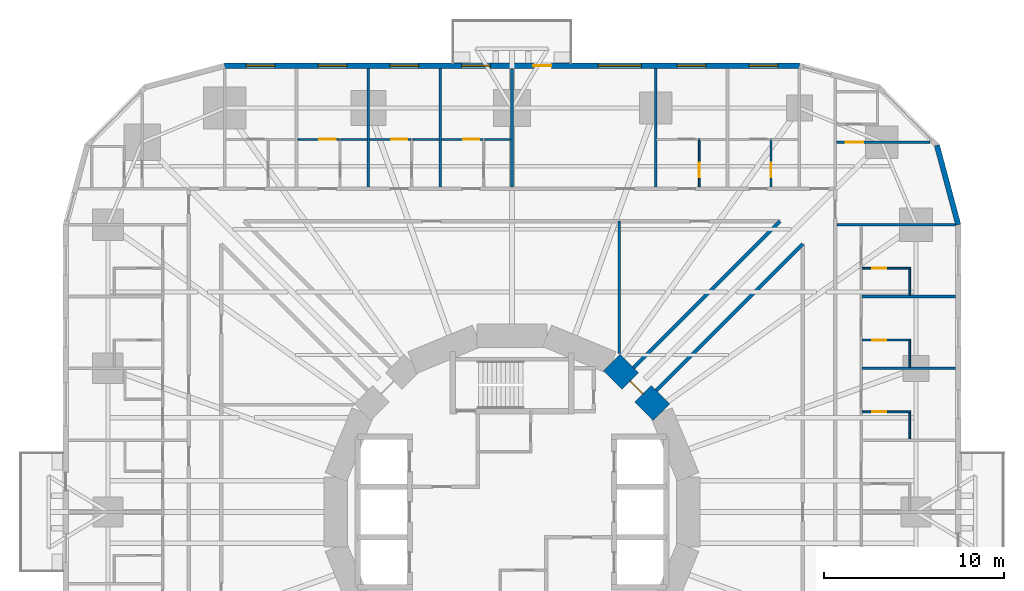
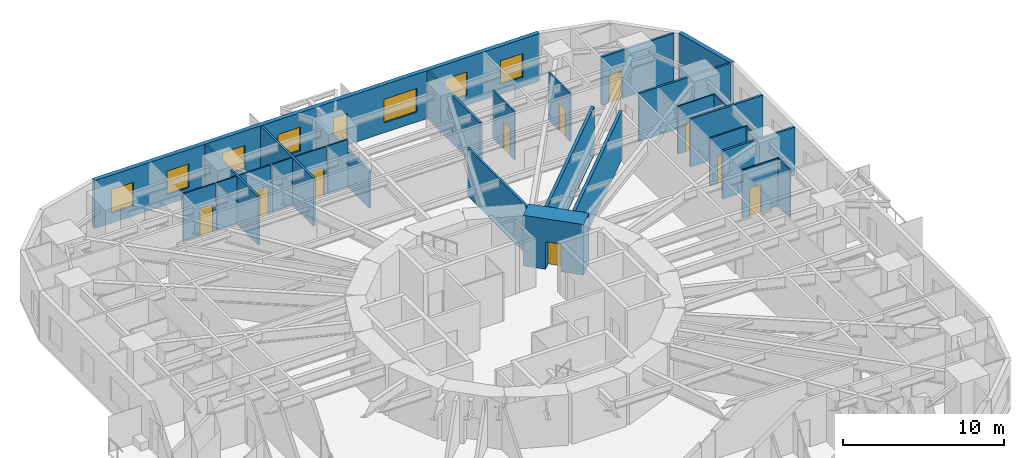
# One storey, part 11 of 14: 28 walls, 11 doors, 7 windows, 18 openings.
"""IFC4 building model written with IfcOpenShell, lengths in metres."""

from ifc_helpers import new_model, si_unit, direction, frame, frame_2d, origin, place, context, subcontext, project, spatial, rectangle, extrude, material, layer, layer_set, type_object, element, fill, save


model = new_model("IFC4")

# Units and contexts
model_context = context("Model", 3, precision=1e-05, world=origin(), true_north=direction((0.0, 1.0)))
body_context = subcontext(model_context, "Body", "Model", "MODEL_VIEW")
ifc_project = project(units=[si_unit("LENGTHUNIT", "METRE"), si_unit("AREAUNIT", "SQUARE_METRE"), si_unit("VOLUMEUNIT", "CUBIC_METRE"), si_unit("PLANEANGLEUNIT", "RADIAN"), si_unit("MASSUNIT", "GRAM", prefix="KILO")], contexts=[model_context])

# Site, building, storey
site_placement = place(None, origin())
site = spatial("IfcSite", under=ifc_project, at=site_placement, CompositionType="ELEMENT")
building_placement = place(site_placement, origin())
building = spatial("IfcBuilding", under=site, at=building_placement, Name="Nakasero Lantern House", CompositionType="ELEMENT")
storey_placement = place(building_placement, frame((0.0, 0.0, 27.550048828125)))
storey = spatial("IfcBuildingStorey", under=building, at=storey_placement, Name="L06", CompositionType="ELEMENT", Elevation=27.550048828125)

# Wall, opening, door
ifc_material_1 = material(Name="Concrete C50/60", Category="concrete")
ifc_layer_1 = layer(ifc_material_1, 1.300048828125)
ifc_layer_set_1 = layer_set([ifc_layer_1], Name="Core wall 1300")
wall_type_1 = type_object("IfcWallType", Name="Core wall 1300", PredefinedType="SHEAR", material=ifc_layer_set_1)
wall_1_placement = place(storey_placement, frame((8.314697265625, 5.5556640625, 0.0), z_axis=(0.0, 0.0, 1.0), x_axis=(-0.707106781187, 0.707106781187, 0.0)))
wall_1 = element("IfcWall", 1, at=wall_1_placement, inside=storey, type_object=wall_type_1, Name="Core wall L06 facet 2", PredefinedType="SHEAR", context=body_context, shape_type="SweptSolid", body=[
    extrude(rectangle(XDim=3.90185546875, YDim=1.300048828125, at=frame_2d((1.950927734375, 0.0))), origin(), (0.0, 0.0, 1.0), 3.849853515625),
])
opening_1_placement = place(wall_1_placement, frame((1.450927734375, 0.0, 0.0)))
opening_1 = element("IfcOpeningElement", 2, at=opening_1_placement, cuts=wall_1, Name="Opening D05", PredefinedType="OPENING", context=body_context, shape_type="SweptSolid", body=[
    extrude(rectangle(XDim=1.0, YDim=2.10009765625, at=frame_2d((0.5, 1.050048828125))), frame((0.0, 0.669921875, 0.0), z_axis=(0.0, -1.0, 0.0), x_axis=(1.0, 0.0, 0.0)), (0.0, 0.0, 1.0), 1.340087890625),
])
ifc_material_2 = material(Name="Timber C24", Category="wood")
door_type_1 = type_object("IfcDoorType", Name="Core door FD60S 1000", OperationType="SINGLE_SWING_LEFT", PredefinedType="DOOR", material=ifc_material_2)
door_1_placement = place(opening_1_placement, origin())
door_1 = element("IfcDoor", 3, at=door_1_placement, inside=storey, type_object=door_type_1, Name="Door L06 D-CORE02", OperationType="SINGLE_SWING_LEFT", OverallHeight=2.10009765625, OverallWidth=1.0, PredefinedType="DOOR", context=body_context, shape_type="SweptSolid", body=[
    extrude(rectangle(XDim=1.0, YDim=2.10009765625, at=frame_2d((0.5, 1.050048828125))), frame((0.0, 0.02490234375, 0.0), z_axis=(0.0, -1.0, 0.0), x_axis=(1.0, 0.0, 0.0)), (0.0, 0.0, 1.0), 0.050048828125),
])
fill(opening_1, door_1)

# Walls
ifc_material_3 = material(Name="Blockwork", Category="masonry")
ifc_layer_2 = layer(ifc_material_3, 0.199951171875)
ifc_layer_set_2 = layer_set([ifc_layer_2], Name="Corridor wall 200")
wall_type_2 = type_object("IfcWallType", Name="Corridor wall 200", PredefinedType="PARTITIONING", material=ifc_layer_set_2)
for number, where, z_axis, x_axis, name in (
    (4, (6.758544921875, 8.03125, 0.0), (0.0, 0.0, 1.0), (0.707106781187, 0.707106781187, 0.0), "Corridor wall L06 PS02a"),
    (5, (8.03125, 6.758544921875, 0.0), (0.0, 0.0, 1.0), (0.707106781187, 0.707106781187, 0.0), "Corridor wall L06 PS02b"),
):
    element("IfcWall", number, at=place(storey_placement, frame(where, z_axis=z_axis, x_axis=x_axis)), inside=storey, type_object=wall_type_2, Name=name, PredefinedType="PARTITIONING", context=body_context, shape_type="SweptSolid", body=[
        extrude(rectangle(XDim=11.55224609375, YDim=0.199951171875, at=frame_2d((5.776123046875, 0.0))), origin(), (0.0, 0.0, 1.0), 3.64990234375),
    ])

# Wall, opening, door
ifc_material_4 = material(Name="Blockwork", Category="masonry")
ifc_layer_3 = layer(ifc_material_4, 0.10009765625)
ifc_layer_set_3 = layer_set([ifc_layer_3], Name="En-suite wall 100")
wall_type_3 = type_object("IfcWallType", Name="En-suite wall 100", PredefinedType="PARTITIONING", material=ifc_layer_set_3)
wall_2_placement = place(storey_placement, frame((19.5, 5.574951171875, 0.0), z_axis=(0.0, 0.0, 1.0), x_axis=(1.0, 0.0, 0.0)))
wall_2 = element("IfcWall", 6, at=wall_2_placement, inside=storey, type_object=wall_type_3, Name="En-suite wall L06 ES0-06", PredefinedType="PARTITIONING", context=body_context, shape_type="SweptSolid", body=[
    extrude(rectangle(XDim=2.699951171875, YDim=0.10009765625, at=frame_2d((1.35009765625, 0.0))), origin(), (0.0, 0.0, 1.0), 3.64990234375),
])
opening_2_placement = place(wall_2_placement, frame((0.550048828125, 0.0, 0.0)))
opening_2 = element("IfcOpeningElement", 7, at=opening_2_placement, cuts=wall_2, Name="Opening D02", PredefinedType="OPENING", context=body_context, shape_type="SweptSolid", body=[
    extrude(rectangle(XDim=0.800048828125, YDim=2.10009765625, at=frame_2d((0.39990234375, 1.050048828125))), frame((0.0, 0.070068359375, 0.0), z_axis=(0.0, -1.0, 0.0), x_axis=(1.0, 0.0, 0.0)), (0.0, 0.0, 1.0), 0.14013671875),
])
ifc_material_5 = material(Name="Timber C24", Category="wood")
door_type_2 = type_object("IfcDoorType", Name="En-suite door 800", OperationType="SINGLE_SWING_RIGHT", PredefinedType="DOOR", material=ifc_material_5)
door_2_placement = place(opening_2_placement, origin())
door_2 = element("IfcDoor", 8, at=door_2_placement, inside=storey, type_object=door_type_2, Name="Door L06 DE0-06", OperationType="SINGLE_SWING_LEFT", OverallHeight=2.10009765625, OverallWidth=0.800048828125, PredefinedType="DOOR", context=body_context, shape_type="SweptSolid", body=[
    extrude(rectangle(XDim=0.800048828125, YDim=2.10009765625, at=frame_2d((0.39990234375, 1.050048828125))), frame((0.0, 0.02490234375, 0.0), z_axis=(0.0, -1.0, 0.0), x_axis=(1.0, 0.0, 0.0)), (0.0, 0.0, 1.0), 0.050048828125),
])
fill(opening_2, door_2)

# Wall
wall_3_placement = place(storey_placement, frame((22.14990234375, 4.074951171875, 0.0), z_axis=(0.0, 0.0, 1.0), x_axis=(0.0, 1.0, 0.0)))
element("IfcWall", 9, at=wall_3_placement, inside=storey, type_object=wall_type_3, Name="En-suite wall L06 EE0-06", PredefinedType="PARTITIONING", context=body_context, shape_type="SweptSolid", body=[
    extrude(rectangle(XDim=1.449951171875, YDim=0.10009765625, at=frame_2d((0.72509765625, 0.0))), origin(), (0.0, 0.0, 1.0), 3.64990234375),
])

# Wall, opening, door
wall_4_placement = place(storey_placement, frame((19.5, 9.574951171875, 0.0), z_axis=(0.0, 0.0, 1.0), x_axis=(1.0, 0.0, 0.0)))
wall_4 = element("IfcWall", 10, at=wall_4_placement, inside=storey, type_object=wall_type_3, Name="En-suite wall L06 ES0-07", PredefinedType="PARTITIONING", context=body_context, shape_type="SweptSolid", body=[
    extrude(rectangle(XDim=2.699951171875, YDim=0.10009765625, at=frame_2d((1.35009765625, 0.0))), origin(), (0.0, 0.0, 1.0), 3.64990234375),
])
opening_3_placement = place(wall_4_placement, frame((0.550048828125, 0.0, 0.0)))
opening_3 = element("IfcOpeningElement", 11, at=opening_3_placement, cuts=wall_4, Name="Opening D02", PredefinedType="OPENING", context=body_context, shape_type="SweptSolid", body=[
    extrude(rectangle(XDim=0.800048828125, YDim=2.10009765625, at=frame_2d((0.39990234375, 1.050048828125))), frame((0.0, 0.070068359375, 0.0), z_axis=(0.0, -1.0, 0.0), x_axis=(1.0, 0.0, 0.0)), (0.0, 0.0, 1.0), 0.14013671875),
])
door_3_placement = place(opening_3_placement, origin())
door_3 = element("IfcDoor", 12, at=door_3_placement, inside=storey, type_object=door_type_2, Name="Door L06 DE0-07", OperationType="SINGLE_SWING_LEFT", OverallHeight=2.10009765625, OverallWidth=0.800048828125, PredefinedType="DOOR", context=body_context, shape_type="SweptSolid", body=[
    extrude(rectangle(XDim=0.800048828125, YDim=2.10009765625, at=frame_2d((0.39990234375, 1.050048828125))), frame((0.0, 0.02490234375, 0.0), z_axis=(0.0, -1.0, 0.0), x_axis=(1.0, 0.0, 0.0)), (0.0, 0.0, 1.0), 0.050048828125),
])
fill(opening_3, door_3)

# Wall
wall_5_placement = place(storey_placement, frame((22.14990234375, 8.074951171875, 0.0), z_axis=(0.0, 0.0, 1.0), x_axis=(0.0, 1.0, 0.0)))
element("IfcWall", 13, at=wall_5_placement, inside=storey, type_object=wall_type_3, Name="En-suite wall L06 EE0-07", PredefinedType="PARTITIONING", context=body_context, shape_type="SweptSolid", body=[
    extrude(rectangle(XDim=1.449951171875, YDim=0.10009765625, at=frame_2d((0.72509765625, 0.0))), origin(), (0.0, 0.0, 1.0), 3.64990234375),
])

# Wall, opening, door
wall_6_placement = place(storey_placement, frame((19.5, 13.574951171875, 0.0), z_axis=(0.0, 0.0, 1.0), x_axis=(1.0, 0.0, 0.0)))
wall_6 = element("IfcWall", 14, at=wall_6_placement, inside=storey, type_object=wall_type_3, Name="En-suite wall L06 ES0-08", PredefinedType="PARTITIONING", context=body_context, shape_type="SweptSolid", body=[
    extrude(rectangle(XDim=2.699951171875, YDim=0.10009765625, at=frame_2d((1.35009765625, 0.0))), origin(), (0.0, 0.0, 1.0), 3.64990234375),
])
opening_4_placement = place(wall_6_placement, frame((0.550048828125, 0.0, 0.0)))
opening_4 = element("IfcOpeningElement", 15, at=opening_4_placement, cuts=wall_6, Name="Opening D02", PredefinedType="OPENING", context=body_context, shape_type="SweptSolid", body=[
    extrude(rectangle(XDim=0.800048828125, YDim=2.10009765625, at=frame_2d((0.39990234375, 1.050048828125))), frame((0.0, 0.070068359375, 0.0), z_axis=(0.0, -1.0, 0.0), x_axis=(1.0, 0.0, 0.0)), (0.0, 0.0, 1.0), 0.14013671875),
])
door_4_placement = place(opening_4_placement, origin())
door_4 = element("IfcDoor", 16, at=door_4_placement, inside=storey, type_object=door_type_2, Name="Door L06 DE0-08", OperationType="SINGLE_SWING_LEFT", OverallHeight=2.10009765625, OverallWidth=0.800048828125, PredefinedType="DOOR", context=body_context, shape_type="SweptSolid", body=[
    extrude(rectangle(XDim=0.800048828125, YDim=2.10009765625, at=frame_2d((0.39990234375, 1.050048828125))), frame((0.0, 0.02490234375, 0.0), z_axis=(0.0, -1.0, 0.0), x_axis=(1.0, 0.0, 0.0)), (0.0, 0.0, 1.0), 0.050048828125),
])
fill(opening_4, door_4)

# Wall
wall_7_placement = place(storey_placement, frame((22.14990234375, 12.074951171875, 0.0), z_axis=(0.0, 0.0, 1.0), x_axis=(0.0, 1.0, 0.0)))
element("IfcWall", 17, at=wall_7_placement, inside=storey, type_object=wall_type_3, Name="En-suite wall L06 EE0-08", PredefinedType="PARTITIONING", context=body_context, shape_type="SweptSolid", body=[
    extrude(rectangle(XDim=1.449951171875, YDim=0.10009765625, at=frame_2d((0.72509765625, 0.0))), origin(), (0.0, 0.0, 1.0), 3.64990234375),
])

# Wall, opening, door
wall_8_placement = place(storey_placement, frame((14.425048828125, 18.10009765625, 0.0), z_axis=(0.0, 0.0, 1.0), x_axis=(0.0, 1.0, 0.0)))
wall_8 = element("IfcWall", 18, at=wall_8_placement, inside=storey, type_object=wall_type_3, Name="En-suite wall L06 ES1-01", PredefinedType="PARTITIONING", context=body_context, shape_type="SweptSolid", body=[
    extrude(rectangle(XDim=2.699951171875, YDim=0.10009765625, at=frame_2d((1.35009765625, 0.0))), origin(), (0.0, 0.0, 1.0), 3.64990234375),
])
opening_5_placement = place(wall_8_placement, frame((0.550048828125, 0.0, 0.0)))
opening_5 = element("IfcOpeningElement", 19, at=opening_5_placement, cuts=wall_8, Name="Opening D02", PredefinedType="OPENING", context=body_context, shape_type="SweptSolid", body=[
    extrude(rectangle(XDim=0.800048828125, YDim=2.10009765625, at=frame_2d((0.39990234375, 1.050048828125))), frame((0.0, 0.070068359375, 0.0), z_axis=(0.0, -1.0, 0.0), x_axis=(1.0, 0.0, 0.0)), (0.0, 0.0, 1.0), 0.14013671875),
])
door_5_placement = place(opening_5_placement, origin())
door_5 = element("IfcDoor", 20, at=door_5_placement, inside=storey, type_object=door_type_2, Name="Door L06 DE1-01", OperationType="SINGLE_SWING_LEFT", OverallHeight=2.10009765625, OverallWidth=0.800048828125, PredefinedType="DOOR", context=body_context, shape_type="SweptSolid", body=[
    extrude(rectangle(XDim=0.800048828125, YDim=2.10009765625, at=frame_2d((0.39990234375, 1.050048828125))), frame((0.0, 0.02490234375, 0.0), z_axis=(0.0, -1.0, 0.0), x_axis=(1.0, 0.0, 0.0)), (0.0, 0.0, 1.0), 0.050048828125),
])
fill(opening_5, door_5)

wall_9_placement = place(storey_placement, frame((10.425048828125, 18.10009765625, 0.0), z_axis=(0.0, 0.0, 1.0), x_axis=(0.0, 1.0, 0.0)))
wall_9 = element("IfcWall", 21, at=wall_9_placement, inside=storey, type_object=wall_type_3, Name="En-suite wall L06 ES1-02", PredefinedType="PARTITIONING", context=body_context, shape_type="SweptSolid", body=[
    extrude(rectangle(XDim=2.699951171875, YDim=0.10009765625, at=frame_2d((1.35009765625, 0.0))), origin(), (0.0, 0.0, 1.0), 3.64990234375),
])
opening_6_placement = place(wall_9_placement, frame((0.550048828125, 0.0, 0.0)))
opening_6 = element("IfcOpeningElement", 22, at=opening_6_placement, cuts=wall_9, Name="Opening D02", PredefinedType="OPENING", context=body_context, shape_type="SweptSolid", body=[
    extrude(rectangle(XDim=0.800048828125, YDim=2.10009765625, at=frame_2d((0.39990234375, 1.050048828125))), frame((0.0, 0.070068359375, 0.0), z_axis=(0.0, -1.0, 0.0), x_axis=(1.0, 0.0, 0.0)), (0.0, 0.0, 1.0), 0.14013671875),
])
door_6_placement = place(opening_6_placement, origin())
door_6 = element("IfcDoor", 23, at=door_6_placement, inside=storey, type_object=door_type_2, Name="Door L06 DE1-02", OperationType="SINGLE_SWING_LEFT", OverallHeight=2.10009765625, OverallWidth=0.800048828125, PredefinedType="DOOR", context=body_context, shape_type="SweptSolid", body=[
    extrude(rectangle(XDim=0.800048828125, YDim=2.10009765625, at=frame_2d((0.39990234375, 1.050048828125))), frame((0.0, 0.02490234375, 0.0), z_axis=(0.0, -1.0, 0.0), x_axis=(1.0, 0.0, 0.0)), (0.0, 0.0, 1.0), 0.050048828125),
])
fill(opening_6, door_6)

# Walls
for number, where, z_axis, x_axis, name in (
    (24, (-0.074951171875, 20.75, 0.0), (0.0, 0.0, 1.0), (-1.0, 0.0, 0.0), "En-suite wall L06 EE1-05"),
    (25, (-4.074951171875, 20.75, 0.0), (0.0, 0.0, 1.0), (-1.0, 0.0, 0.0), "En-suite wall L06 EE1-06"),
    (26, (-8.074951171875, 20.75, 0.0), (0.0, 0.0, 1.0), (-1.0, 0.0, 0.0), "En-suite wall L06 EE1-07"),
):
    element("IfcWall", number, at=place(storey_placement, frame(where, z_axis=z_axis, x_axis=x_axis)), inside=storey, type_object=wall_type_3, Name=name, PredefinedType="PARTITIONING", context=body_context, shape_type="SweptSolid", body=[
        extrude(rectangle(XDim=1.449951171875, YDim=0.10009765625, at=frame_2d((0.72509765625, 0.0))), origin(), (0.0, 0.0, 1.0), 3.64990234375),
    ])

# Wall, opening, door
wall_10_placement = place(storey_placement, frame((-1.625, 20.75, 0.0), z_axis=(0.0, 0.0, 1.0), x_axis=(-1.0, 0.0, 0.0)))
wall_10 = element("IfcWall", 27, at=wall_10_placement, inside=storey, type_object=wall_type_3, Name="En-suite wall L06 EL1-05", PredefinedType="PARTITIONING", context=body_context, shape_type="SweptSolid", body=[
    extrude(rectangle(XDim=2.300048828125, YDim=0.10009765625, at=frame_2d((1.14990234375, 0.0))), origin(), (0.0, 0.0, 1.0), 3.64990234375),
])
opening_7_placement = place(wall_10_placement, frame((0.199951171875, 0.0, 0.0)))
opening_7 = element("IfcOpeningElement", 28, at=opening_7_placement, cuts=wall_10, Name="Opening D17", PredefinedType="OPENING", context=body_context, shape_type="SweptSolid", body=[
    extrude(rectangle(XDim=0.89990234375, YDim=2.10009765625, at=frame_2d((0.449951171875, 1.050048828125))), frame((0.0, 0.070068359375, 0.0), z_axis=(0.0, -1.0, 0.0), x_axis=(1.0, 0.0, 0.0)), (0.0, 0.0, 1.0), 0.14013671875),
])
ifc_material_6 = material(Name="Timber C24", Category="wood")
door_type_3 = type_object("IfcDoorType", Name="Bedroom door FD30S 900", OperationType="SINGLE_SWING_LEFT", PredefinedType="DOOR", material=ifc_material_6)
door_7_placement = place(opening_7_placement, origin())
door_7 = element("IfcDoor", 29, at=door_7_placement, inside=storey, type_object=door_type_3, Name="Door L06 DL1-05", OperationType="SINGLE_SWING_LEFT", OverallHeight=2.10009765625, OverallWidth=0.89990234375, PredefinedType="DOOR", context=body_context, shape_type="SweptSolid", body=[
    extrude(rectangle(XDim=0.89990234375, YDim=2.10009765625, at=frame_2d((0.449951171875, 1.050048828125))), frame((0.0, 0.02490234375, 0.0), z_axis=(0.0, -1.0, 0.0), x_axis=(1.0, 0.0, 0.0)), (0.0, 0.0, 1.0), 0.050048828125),
])
fill(opening_7, door_7)

wall_11_placement = place(storey_placement, frame((-5.625, 20.75, 0.0), z_axis=(0.0, 0.0, 1.0), x_axis=(-1.0, 0.0, 0.0)))
wall_11 = element("IfcWall", 30, at=wall_11_placement, inside=storey, type_object=wall_type_3, Name="En-suite wall L06 EL1-06", PredefinedType="PARTITIONING", context=body_context, shape_type="SweptSolid", body=[
    extrude(rectangle(XDim=2.300048828125, YDim=0.10009765625, at=frame_2d((1.14990234375, 0.0))), origin(), (0.0, 0.0, 1.0), 3.64990234375),
])
opening_8_placement = place(wall_11_placement, frame((0.199951171875, 0.0, 0.0)))
opening_8 = element("IfcOpeningElement", 31, at=opening_8_placement, cuts=wall_11, Name="Opening D17", PredefinedType="OPENING", context=body_context, shape_type="SweptSolid", body=[
    extrude(rectangle(XDim=0.89990234375, YDim=2.10009765625, at=frame_2d((0.449951171875, 1.050048828125))), frame((0.0, 0.070068359375, 0.0), z_axis=(0.0, -1.0, 0.0), x_axis=(1.0, 0.0, 0.0)), (0.0, 0.0, 1.0), 0.14013671875),
])
door_8_placement = place(opening_8_placement, origin())
door_8 = element("IfcDoor", 32, at=door_8_placement, inside=storey, type_object=door_type_3, Name="Door L06 DL1-06", OperationType="SINGLE_SWING_LEFT", OverallHeight=2.10009765625, OverallWidth=0.89990234375, PredefinedType="DOOR", context=body_context, shape_type="SweptSolid", body=[
    extrude(rectangle(XDim=0.89990234375, YDim=2.10009765625, at=frame_2d((0.449951171875, 1.050048828125))), frame((0.0, 0.02490234375, 0.0), z_axis=(0.0, -1.0, 0.0), x_axis=(1.0, 0.0, 0.0)), (0.0, 0.0, 1.0), 0.050048828125),
])
fill(opening_8, door_8)

wall_12_placement = place(storey_placement, frame((-9.625, 20.75, 0.0), z_axis=(0.0, 0.0, 1.0), x_axis=(-1.0, 0.0, 0.0)))
wall_12 = element("IfcWall", 33, at=wall_12_placement, inside=storey, type_object=wall_type_3, Name="En-suite wall L06 EL1-07", PredefinedType="PARTITIONING", context=body_context, shape_type="SweptSolid", body=[
    extrude(rectangle(XDim=2.300048828125, YDim=0.10009765625, at=frame_2d((1.14990234375, 0.0))), origin(), (0.0, 0.0, 1.0), 3.64990234375),
])
opening_9_placement = place(wall_12_placement, frame((0.199951171875, 0.0, 0.0)))
opening_9 = element("IfcOpeningElement", 34, at=opening_9_placement, cuts=wall_12, Name="Opening D17", PredefinedType="OPENING", context=body_context, shape_type="SweptSolid", body=[
    extrude(rectangle(XDim=0.89990234375, YDim=2.10009765625, at=frame_2d((0.449951171875, 1.050048828125))), frame((0.0, 0.070068359375, 0.0), z_axis=(0.0, -1.0, 0.0), x_axis=(1.0, 0.0, 0.0)), (0.0, 0.0, 1.0), 0.14013671875),
])
door_9_placement = place(opening_9_placement, origin())
door_9 = element("IfcDoor", 35, at=door_9_placement, inside=storey, type_object=door_type_3, Name="Door L06 DL1-07", OperationType="SINGLE_SWING_LEFT", OverallHeight=2.10009765625, OverallWidth=0.89990234375, PredefinedType="DOOR", context=body_context, shape_type="SweptSolid", body=[
    extrude(rectangle(XDim=0.89990234375, YDim=2.10009765625, at=frame_2d((0.449951171875, 1.050048828125))), frame((0.0, 0.02490234375, 0.0), z_axis=(0.0, -1.0, 0.0), x_axis=(1.0, 0.0, 0.0)), (0.0, 0.0, 1.0), 0.050048828125),
])
fill(opening_9, door_9)

# Wall
ifc_material_7 = material(Name="Aluminium rainscreen on blockwork", Category="masonry")
ifc_layer_4 = layer(ifc_material_7, 0.300048828125)
ifc_layer_set_4 = layer_set([ifc_layer_4], Name="Facade wall 300")
wall_type_4 = type_object("IfcWallType", Name="Facade wall 300", PredefinedType="SOLIDWALL", material=ifc_layer_set_4)
wall_13_placement = place(storey_placement, frame((24.85009765625, 16.0, 0.0), z_axis=(0.0, 0.0, 1.0), x_axis=(-0.258839972501, 0.965920218567, 0.0)))
element("IfcWall", 36, at=wall_13_placement, inside=storey, type_object=wall_type_4, Name="Facade wall L06 FW0C1", PredefinedType="SOLIDWALL", context=body_context, shape_type="SweptSolid", body=[
    extrude(rectangle(XDim=4.5810546875, YDim=0.300048828125, at=frame_2d((2.29052734375, 0.0))), origin(), (0.0, 0.0, 1.0), 3.64990234375),
])

# Wall, openings, door, windows
wall_14_placement = place(storey_placement, frame((16.0, 24.85009765625, 0.0), z_axis=(0.0, 0.0, 1.0), x_axis=(-1.0, 0.0, 0.0)))
wall_14 = element("IfcWall", 37, at=wall_14_placement, inside=storey, type_object=wall_type_4, Name="Facade wall L06 FW1S", PredefinedType="SOLIDWALL", context=body_context, shape_type="SweptSolid", body=[
    extrude(rectangle(XDim=32.0, YDim=0.300048828125, at=frame_2d((16.0, 0.0))), origin(), (0.0, 0.0, 1.0), 3.64990234375),
])
opening_10_placement = place(wall_14_placement, frame((1.199951171875, 0.0, 0.75)))
opening_10 = element("IfcOpeningElement", 38, at=opening_10_placement, cuts=wall_14, Name="Opening W01", PredefinedType="OPENING", context=body_context, shape_type="SweptSolid", body=[
    extrude(rectangle(XDim=1.60009765625, YDim=1.800048828125, at=frame_2d((0.800048828125, 0.89990234375))), frame((0.0, 0.169921875, 0.0), z_axis=(0.0, -1.0, 0.0), x_axis=(1.0, 0.0, 0.0)), (0.0, 0.0, 1.0), 0.340087890625),
])
opening_11_placement = place(wall_14_placement, frame((5.199951171875, 0.0, 0.75)))
opening_11 = element("IfcOpeningElement", 39, at=opening_11_placement, cuts=wall_14, Name="Opening W01", PredefinedType="OPENING", context=body_context, shape_type="SweptSolid", body=[
    extrude(rectangle(XDim=1.60009765625, YDim=1.800048828125, at=frame_2d((0.800048828125, 0.89990234375))), frame((0.0, 0.169921875, 0.0), z_axis=(0.0, -1.0, 0.0), x_axis=(1.0, 0.0, 0.0)), (0.0, 0.0, 1.0), 0.340087890625),
])
opening_12_placement = place(wall_14_placement, frame((17.199951171875, 0.0, 0.75)))
opening_12 = element("IfcOpeningElement", 40, at=opening_12_placement, cuts=wall_14, Name="Opening W01", PredefinedType="OPENING", context=body_context, shape_type="SweptSolid", body=[
    extrude(rectangle(XDim=1.60009765625, YDim=1.800048828125, at=frame_2d((0.800048828125, 0.89990234375))), frame((0.0, 0.169921875, 0.0), z_axis=(0.0, -1.0, 0.0), x_axis=(1.0, 0.0, 0.0)), (0.0, 0.0, 1.0), 0.340087890625),
])
opening_13_placement = place(wall_14_placement, frame((21.199951171875, 0.0, 0.75)))
opening_13 = element("IfcOpeningElement", 41, at=opening_13_placement, cuts=wall_14, Name="Opening W01", PredefinedType="OPENING", context=body_context, shape_type="SweptSolid", body=[
    extrude(rectangle(XDim=1.60009765625, YDim=1.800048828125, at=frame_2d((0.800048828125, 0.89990234375))), frame((0.0, 0.169921875, 0.0), z_axis=(0.0, -1.0, 0.0), x_axis=(1.0, 0.0, 0.0)), (0.0, 0.0, 1.0), 0.340087890625),
])
opening_14_placement = place(wall_14_placement, frame((25.199951171875, 0.0, 0.75)))
opening_14 = element("IfcOpeningElement", 42, at=opening_14_placement, cuts=wall_14, Name="Opening W01", PredefinedType="OPENING", context=body_context, shape_type="SweptSolid", body=[
    extrude(rectangle(XDim=1.60009765625, YDim=1.800048828125, at=frame_2d((0.800048828125, 0.89990234375))), frame((0.0, 0.169921875, 0.0), z_axis=(0.0, -1.0, 0.0), x_axis=(1.0, 0.0, 0.0)), (0.0, 0.0, 1.0), 0.340087890625),
])
opening_15_placement = place(wall_14_placement, frame((29.199951171875, 0.0, 0.75)))
opening_15 = element("IfcOpeningElement", 43, at=opening_15_placement, cuts=wall_14, Name="Opening W01", PredefinedType="OPENING", context=body_context, shape_type="SweptSolid", body=[
    extrude(rectangle(XDim=1.60009765625, YDim=1.800048828125, at=frame_2d((0.800048828125, 0.89990234375))), frame((0.0, 0.169921875, 0.0), z_axis=(0.0, -1.0, 0.0), x_axis=(1.0, 0.0, 0.0)), (0.0, 0.0, 1.0), 0.340087890625),
])
opening_16_placement = place(wall_14_placement, frame((8.800048828125, 0.0, 0.75)))
opening_16 = element("IfcOpeningElement", 44, at=opening_16_placement, cuts=wall_14, Name="Opening W03", PredefinedType="OPENING", context=body_context, shape_type="SweptSolid", body=[
    extrude(rectangle(XDim=2.39990234375, YDim=1.800048828125, at=frame_2d((1.199951171875, 0.89990234375))), frame((0.0, 0.169921875, 0.0), z_axis=(0.0, -1.0, 0.0), x_axis=(1.0, 0.0, 0.0)), (0.0, 0.0, 1.0), 0.340087890625),
])
opening_17_placement = place(wall_14_placement, frame((13.8125, 0.0, 0.0)))
opening_17 = element("IfcOpeningElement", 45, at=opening_17_placement, cuts=wall_14, Name="Opening D04", PredefinedType="OPENING", context=body_context, shape_type="SweptSolid", body=[
    extrude(rectangle(XDim=1.0, YDim=2.39990234375, at=frame_2d((0.5, 1.199951171875))), frame((0.0, 0.169921875, 0.0), z_axis=(0.0, -1.0, 0.0), x_axis=(1.0, 0.0, 0.0)), (0.0, 0.0, 1.0), 0.340087890625),
])
ifc_material_8 = material(Name="Aluminium 6063-T6 and glass", Category="aluminium")
door_type_4 = type_object("IfcDoorType", Name="Balcony door 1000x2400", OperationType="SINGLE_SWING_RIGHT", PredefinedType="DOOR", material=ifc_material_8)
door_10_placement = place(opening_17_placement, origin())
door_10 = element("IfcDoor", 46, at=door_10_placement, inside=storey, type_object=door_type_4, Name="Balcony door L06 DB1", OperationType="SINGLE_SWING_RIGHT", OverallHeight=2.39990234375, OverallWidth=1.0, PredefinedType="DOOR", context=body_context, shape_type="SweptSolid", body=[
    extrude(rectangle(XDim=1.0, YDim=2.39990234375, at=frame_2d((0.5, 1.199951171875))), frame((0.0, 0.02490234375, 0.0), z_axis=(0.0, -1.0, 0.0), x_axis=(1.0, 0.0, 0.0)), (0.0, 0.0, 1.0), 0.050048828125),
])
fill(opening_17, door_10)
ifc_material_9 = material(Name="Aluminium 6063-T6 and glass", Category="aluminium")
window_type_1 = type_object("IfcWindowType", Name="Bedroom window 1600x1800", PartitioningType="SINGLE_PANEL", PredefinedType="WINDOW", material=ifc_material_9)
window_1_placement = place(opening_10_placement, origin())
window_1 = element("IfcWindow", 47, at=window_1_placement, inside=storey, type_object=window_type_1, Name="Window L06 WN1-01", OverallHeight=1.800048828125, OverallWidth=1.60009765625, PartitioningType="SINGLE_PANEL", PredefinedType="WINDOW", context=body_context, shape_type="SweptSolid", body=[
    extrude(rectangle(XDim=1.60009765625, YDim=1.800048828125, at=frame_2d((0.800048828125, 0.89990234375))), frame((0.0, 0.030029296875, 0.0), z_axis=(0.0, -1.0, 0.0), x_axis=(1.0, 0.0, 0.0)), (0.0, 0.0, 1.0), 0.06005859375),
])
fill(opening_10, window_1)
window_2_placement = place(opening_11_placement, origin())
window_2 = element("IfcWindow", 48, at=window_2_placement, inside=storey, type_object=window_type_1, Name="Window L06 WN1-02", OverallHeight=1.800048828125, OverallWidth=1.60009765625, PartitioningType="SINGLE_PANEL", PredefinedType="WINDOW", context=body_context, shape_type="SweptSolid", body=[
    extrude(rectangle(XDim=1.60009765625, YDim=1.800048828125, at=frame_2d((0.800048828125, 0.89990234375))), frame((0.0, 0.030029296875, 0.0), z_axis=(0.0, -1.0, 0.0), x_axis=(1.0, 0.0, 0.0)), (0.0, 0.0, 1.0), 0.06005859375),
])
fill(opening_11, window_2)
window_3_placement = place(opening_12_placement, origin())
window_3 = element("IfcWindow", 49, at=window_3_placement, inside=storey, type_object=window_type_1, Name="Window L06 WN1-05", OverallHeight=1.800048828125, OverallWidth=1.60009765625, PartitioningType="SINGLE_PANEL", PredefinedType="WINDOW", context=body_context, shape_type="SweptSolid", body=[
    extrude(rectangle(XDim=1.60009765625, YDim=1.800048828125, at=frame_2d((0.800048828125, 0.89990234375))), frame((0.0, 0.030029296875, 0.0), z_axis=(0.0, -1.0, 0.0), x_axis=(1.0, 0.0, 0.0)), (0.0, 0.0, 1.0), 0.06005859375),
])
fill(opening_12, window_3)
window_4_placement = place(opening_13_placement, origin())
window_4 = element("IfcWindow", 50, at=window_4_placement, inside=storey, type_object=window_type_1, Name="Window L06 WN1-06", OverallHeight=1.800048828125, OverallWidth=1.60009765625, PartitioningType="SINGLE_PANEL", PredefinedType="WINDOW", context=body_context, shape_type="SweptSolid", body=[
    extrude(rectangle(XDim=1.60009765625, YDim=1.800048828125, at=frame_2d((0.800048828125, 0.89990234375))), frame((0.0, 0.030029296875, 0.0), z_axis=(0.0, -1.0, 0.0), x_axis=(1.0, 0.0, 0.0)), (0.0, 0.0, 1.0), 0.06005859375),
])
fill(opening_13, window_4)
window_5_placement = place(opening_14_placement, origin())
window_5 = element("IfcWindow", 51, at=window_5_placement, inside=storey, type_object=window_type_1, Name="Window L06 WN1-07", OverallHeight=1.800048828125, OverallWidth=1.60009765625, PartitioningType="SINGLE_PANEL", PredefinedType="WINDOW", context=body_context, shape_type="SweptSolid", body=[
    extrude(rectangle(XDim=1.60009765625, YDim=1.800048828125, at=frame_2d((0.800048828125, 0.89990234375))), frame((0.0, 0.030029296875, 0.0), z_axis=(0.0, -1.0, 0.0), x_axis=(1.0, 0.0, 0.0)), (0.0, 0.0, 1.0), 0.06005859375),
])
fill(opening_14, window_5)
window_6_placement = place(opening_15_placement, origin())
window_6 = element("IfcWindow", 52, at=window_6_placement, inside=storey, type_object=window_type_1, Name="Window L06 WN1-08", OverallHeight=1.800048828125, OverallWidth=1.60009765625, PartitioningType="SINGLE_PANEL", PredefinedType="WINDOW", context=body_context, shape_type="SweptSolid", body=[
    extrude(rectangle(XDim=1.60009765625, YDim=1.800048828125, at=frame_2d((0.800048828125, 0.89990234375))), frame((0.0, 0.030029296875, 0.0), z_axis=(0.0, -1.0, 0.0), x_axis=(1.0, 0.0, 0.0)), (0.0, 0.0, 1.0), 0.06005859375),
])
fill(opening_15, window_6)
ifc_material_10 = material(Name="Aluminium 6063-T6 and glass", Category="aluminium")
window_type_2 = type_object("IfcWindowType", Name="Lounge window 2400x1800", PartitioningType="SINGLE_PANEL", PredefinedType="WINDOW", material=ifc_material_10)
window_7_placement = place(opening_16_placement, origin())
window_7 = element("IfcWindow", 53, at=window_7_placement, inside=storey, type_object=window_type_2, Name="Window L06 WK1", OverallHeight=1.800048828125, OverallWidth=2.39990234375, PartitioningType="SINGLE_PANEL", PredefinedType="WINDOW", context=body_context, shape_type="SweptSolid", body=[
    extrude(rectangle(XDim=2.39990234375, YDim=1.800048828125, at=frame_2d((1.199951171875, 0.89990234375))), frame((0.0, 0.030029296875, 0.0), z_axis=(0.0, -1.0, 0.0), x_axis=(1.0, 0.0, 0.0)), (0.0, 0.0, 1.0), 0.06005859375),
])
fill(opening_16, window_7)

# Walls
ifc_material_11 = material(Name="Blockwork", Category="masonry")
ifc_layer_5 = layer(ifc_material_11, 0.14990234375)
ifc_layer_set_5 = layer_set([ifc_layer_5], Name="Party wall 150")
wall_type_5 = type_object("IfcWallType", Name="Party wall 150", PredefinedType="PARTITIONING", material=ifc_layer_set_5)
for number, where, z_axis, x_axis, name in (
    (54, (19.5, 8.0, 0.0), (0.0, 0.0, 1.0), (1.0, 0.0, 0.0), "Party wall L06 PW0-07"),
    (55, (19.5, 12.0, 0.0), (0.0, 0.0, 1.0), (1.0, 0.0, 0.0), "Party wall L06 PW0-08"),
):
    element("IfcWall", number, at=place(storey_placement, frame(where, z_axis=z_axis, x_axis=x_axis)), inside=storey, type_object=wall_type_5, Name=name, PredefinedType="PARTITIONING", context=body_context, shape_type="SweptSolid", body=[
        extrude(rectangle(XDim=5.199951171875, YDim=0.14990234375, at=frame_2d((2.60009765625, 0.0))), origin(), (0.0, 0.0, 1.0), 3.64990234375),
    ])
wall_15_placement = place(storey_placement, frame((18.10009765625, 16.0, 0.0), z_axis=(0.0, 0.0, 1.0), x_axis=(1.0, 0.0, 0.0)))
element("IfcWall", 56, at=wall_15_placement, inside=storey, type_object=wall_type_5, Name="Party wall L06 PW0-09", PredefinedType="PARTITIONING", context=body_context, shape_type="SweptSolid", body=[
    extrude(rectangle(XDim=6.58935546875, YDim=0.14990234375, at=frame_2d((3.294677734375, 0.0))), origin(), (0.0, 0.0, 1.0), 3.64990234375),
])

# Wall, opening, door
wall_16_placement = place(storey_placement, frame((18.06494140625, 20.59619140625, 0.0), z_axis=(0.0, 0.0, 1.0), x_axis=(1.0, 0.0, 0.0)))
wall_16 = element("IfcWall", 57, at=wall_16_placement, inside=storey, type_object=wall_type_5, Name="Party wall L06 PC0", PredefinedType="PARTITIONING", context=body_context, shape_type="SweptSolid", body=[
    extrude(rectangle(XDim=5.208740234375, YDim=0.14990234375, at=frame_2d((2.6044921875, 0.0))), origin(), (0.0, 0.0, 1.0), 3.64990234375),
])
opening_18_placement = place(wall_16_placement, frame((0.534912109375, 0.0, 0.0)))
opening_18 = element("IfcOpeningElement", 58, at=opening_18_placement, cuts=wall_16, Name="Opening D01", PredefinedType="OPENING", context=body_context, shape_type="SweptSolid", body=[
    extrude(rectangle(XDim=0.949951171875, YDim=2.10009765625, at=frame_2d((0.47509765625, 1.050048828125))), frame((0.0, 0.094970703125, 0.0), z_axis=(0.0, -1.0, 0.0), x_axis=(1.0, 0.0, 0.0)), (0.0, 0.0, 1.0), 0.18994140625),
])
ifc_material_12 = material(Name="Timber C24", Category="wood")
door_type_5 = type_object("IfcDoorType", Name="Bedroom door FD30S 950", OperationType="SINGLE_SWING_LEFT", PredefinedType="DOOR", material=ifc_material_12)
door_11_placement = place(opening_18_placement, origin())
door_11 = element("IfcDoor", 59, at=door_11_placement, inside=storey, type_object=door_type_5, Name="Door L06 DC0", OperationType="SINGLE_SWING_LEFT", OverallHeight=2.10009765625, OverallWidth=0.949951171875, PredefinedType="DOOR", context=body_context, shape_type="SweptSolid", body=[
    extrude(rectangle(XDim=0.949951171875, YDim=2.10009765625, at=frame_2d((0.47509765625, 1.050048828125))), frame((0.0, 0.02490234375, 0.0), z_axis=(0.0, -1.0, 0.0), x_axis=(1.0, 0.0, 0.0)), (0.0, 0.0, 1.0), 0.050048828125),
])
fill(opening_18, door_11)

# Walls
wall_17_placement = place(storey_placement, frame((8.0, 18.10009765625, 0.0), z_axis=(0.0, 0.0, 1.0), x_axis=(0.0, 1.0, 0.0)))
element("IfcWall", 60, at=wall_17_placement, inside=storey, type_object=wall_type_5, Name="Party wall L06 PW1-03", PredefinedType="PARTITIONING", context=body_context, shape_type="SweptSolid", body=[
    extrude(rectangle(XDim=6.599853515625, YDim=0.14990234375, at=frame_2d((3.2998046875, 0.0))), origin(), (0.0, 0.0, 1.0), 3.64990234375),
])
wall_18_placement = place(storey_placement, frame((0.0, 18.10009765625, 0.0), z_axis=(0.0, 0.0, 1.0), x_axis=(0.0, 1.0, 0.0)))
element("IfcWall", 61, at=wall_18_placement, inside=storey, type_object=wall_type_5, Name="Party wall L06 PW1-05", PredefinedType="PARTITIONING", context=body_context, shape_type="SweptSolid", body=[
    extrude(rectangle(XDim=6.599853515625, YDim=0.14990234375, at=frame_2d((3.2998046875, 0.0))), origin(), (0.0, 0.0, 1.0), 2.809326171875),
])
for number, where, z_axis, x_axis, name in (
    (62, (-4.0, 18.10009765625, 0.0), (0.0, 0.0, 1.0), (0.0, 1.0, 0.0), "Party wall L06 PW1-06"),
    (63, (-8.0, 18.10009765625, 0.0), (0.0, 0.0, 1.0), (0.0, 1.0, 0.0), "Party wall L06 PW1-07"),
):
    element("IfcWall", number, at=place(storey_placement, frame(where, z_axis=z_axis, x_axis=x_axis)), inside=storey, type_object=wall_type_5, Name=name, PredefinedType="PARTITIONING", context=body_context, shape_type="SweptSolid", body=[
        extrude(rectangle(XDim=6.599853515625, YDim=0.14990234375, at=frame_2d((3.2998046875, 0.0))), origin(), (0.0, 0.0, 1.0), 3.64990234375),
    ])
wall_19_placement = place(storey_placement, frame((5.970947265625, 8.81884765625, 0.0), z_axis=(0.0, 0.0, 1.0), x_axis=(0.0, 1.0, 0.0)))
element("IfcWall", 64, at=wall_19_placement, inside=storey, type_object=wall_type_5, Name="Party wall L06 IS2", PredefinedType="PARTITIONING", context=body_context, shape_type="SweptSolid", body=[
    extrude(rectangle(XDim=7.381103515625, YDim=0.14990234375, at=frame_2d((3.6904296875, 0.0))), origin(), (0.0, 0.0, 1.0), 3.64990234375),
])

save(model, "model.ifc")
